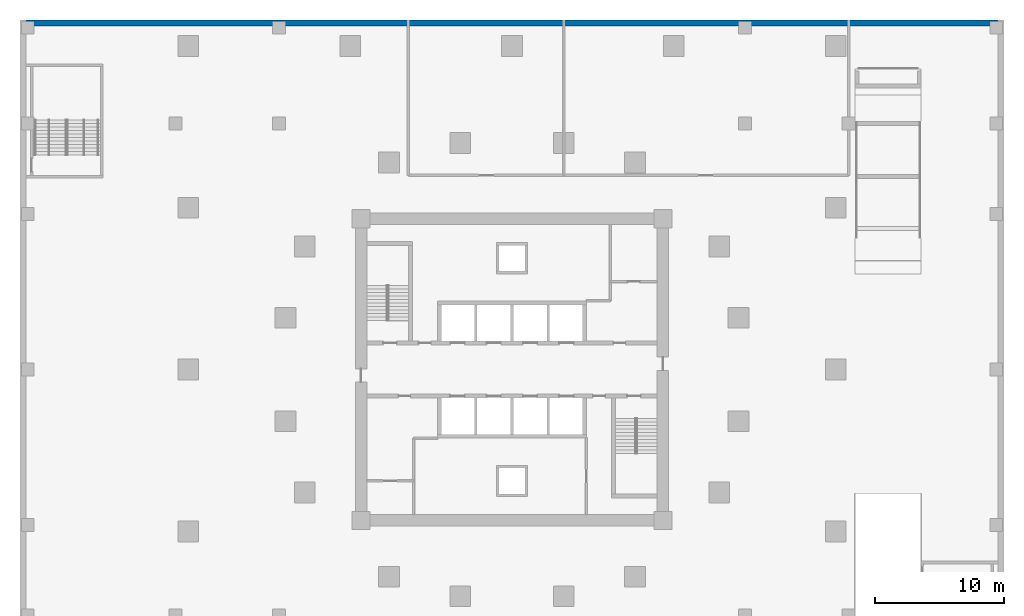
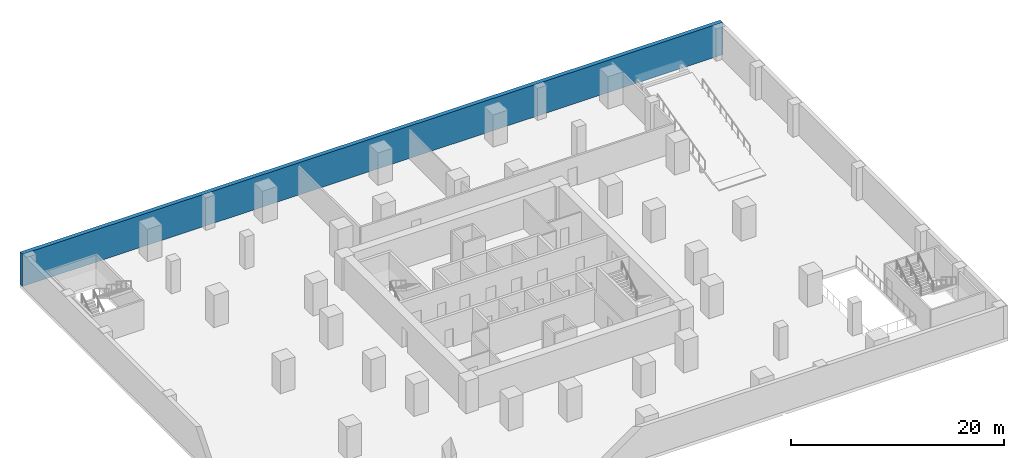
# One storey, part 5 of 9: 1 wall.
"""IFC4 building model written with IfcOpenShell, lengths in metres."""

from ifc_helpers import new_model, si_unit, direction, frame, frame_2d, origin, place, context, subcontext, project, spatial, rectangle, extrude, material, layer, layer_set, type_object, element, save


model = new_model("IFC4")

# Units and contexts
model_context = context("Model", 3, precision=1e-05, world=origin(), true_north=direction((0.0, 1.0)))
body_context = subcontext(model_context, "Body", "Model", "MODEL_VIEW")
ifc_project = project(units=[si_unit("LENGTHUNIT", "METRE"), si_unit("AREAUNIT", "SQUARE_METRE"), si_unit("VOLUMEUNIT", "CUBIC_METRE"), si_unit("PLANEANGLEUNIT", "RADIAN"), si_unit("MASSUNIT", "GRAM", prefix="KILO")], contexts=[model_context])

# Site, building, storey
site_placement = place(None, origin())
site = spatial("IfcSite", under=ifc_project, at=site_placement, CompositionType="ELEMENT")
building_placement = place(site_placement, origin())
building = spatial("IfcBuilding", under=site, at=building_placement, Name="Torsade Residences", CompositionType="ELEMENT")
storey_placement = place(building_placement, frame((0.0, 0.0, -3.699951171875)))
storey = spatial("IfcBuildingStorey", under=building, at=storey_placement, Name="B1", CompositionType="ELEMENT", Elevation=-3.699951171875)

# Wall
ifc_material = material(Name="Concrete 50 MPa", Category="concrete")
ifc_layer = layer(ifc_material, 0.449951171875)
ifc_layer_set = layer_set([ifc_layer], Name="Concrete 50 MPa")
wall_type = type_object("IfcWallType", Name="BASEMENT RETAINING WALL 450", PredefinedType="SHEAR", material=ifc_layer_set)
wall_placement = place(storey_placement, frame((78.0, 56.77490234375, 0.0), z_axis=(0.0, 0.0, 1.0), x_axis=(-1.0, 0.0, 0.0)))
element("IfcWall", 1, at=wall_placement, inside=storey, type_object=wall_type, Name="Retaining wall N B1", PredefinedType="SHEAR", context=body_context, shape_type="SweptSolid", body=[
    extrude(rectangle(XDim=76.0, YDim=0.449951171875, at=frame_2d((38.0, 0.0))), origin(), (0.0, 0.0, 1.0), 3.699951171875),
])

save(model, "model.ifc")
